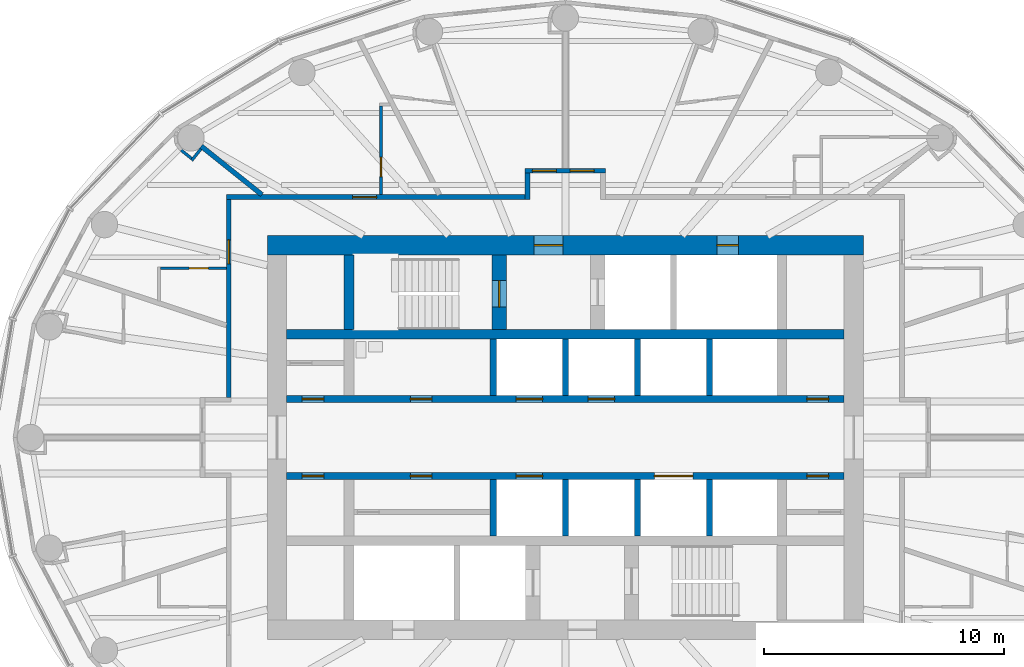
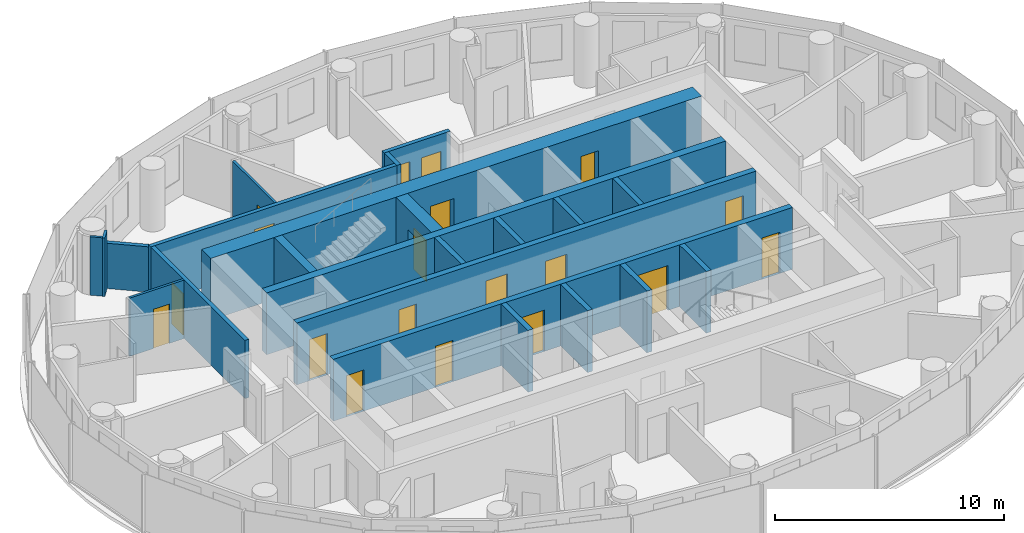
# One storey, part 9 of 16: 23 walls, 19 doors, 19 openings.
"""IFC4 building model written with IfcOpenShell, lengths in metres."""

from ifc_helpers import new_model, si_unit, direction, frame, frame_2d, origin, place, context, subcontext, project, spatial, rectangle, extrude, material, layer, layer_set, type_object, element, fill, save


model = new_model("IFC4")

# Units and contexts
model_context = context("Model", 3, precision=1e-05, world=origin(), true_north=direction((0.0, 1.0)))
body_context = subcontext(model_context, "Body", "Model", "MODEL_VIEW")
ifc_project = project(units=[si_unit("LENGTHUNIT", "METRE"), si_unit("AREAUNIT", "SQUARE_METRE"), si_unit("VOLUMEUNIT", "CUBIC_METRE"), si_unit("PLANEANGLEUNIT", "RADIAN"), si_unit("MASSUNIT", "GRAM", prefix="KILO")], contexts=[model_context])

# Site, building, storey
site_placement = place(None, origin())
site = spatial("IfcSite", under=ifc_project, at=site_placement, CompositionType="ELEMENT")
building_placement = place(site_placement, origin())
building = spatial("IfcBuilding", under=site, at=building_placement, Name="Hankou Lantern Tower", CompositionType="ELEMENT")
storey_placement = place(building_placement, frame((0.0, 0.0, 153.300048828125)))
storey = spatial("IfcBuildingStorey", under=building, at=storey_placement, Name="L40", CompositionType="ELEMENT", Elevation=153.300048828125)

# Wall, openings, doors
ifc_material_1 = material(Name="Concrete C60", Category="concrete")
ifc_layer_1 = layer(ifc_material_1, 0.800048828125)
ifc_layer_set_1 = layer_set([ifc_layer_1], Name="Concrete C60")
wall_type_1 = type_object("IfcWallType", Name="CW2 CORE WALL 800", PredefinedType="SHEAR", material=ifc_layer_set_1)
wall_1_placement = place(storey_placement, frame((-12.39990234375, 8.0, 0.0), z_axis=(0.0, 0.0, 1.0), x_axis=(1.0, 0.0, 0.0)))
wall_1 = element("IfcWall", 1, at=wall_1_placement, inside=storey, type_object=wall_type_1, Name="Core wall north L40", PredefinedType="SHEAR", context=body_context, shape_type="SweptSolid", body=[
    extrude(rectangle(XDim=24.7998046875, YDim=0.800048828125, at=frame_2d((12.39990234375, 0.0))), origin(), (0.0, 0.0, 1.0), 3.300048828125),
])
opening_1_placement = place(wall_1_placement, frame((11.10009765625, 0.0, 0.0)))
opening_1 = element("IfcOpeningElement", 2, at=opening_1_placement, cuts=wall_1, Name="Opening D5", PredefinedType="OPENING", context=body_context, shape_type="SweptSolid", body=[
    extrude(rectangle(XDim=1.199951171875, YDim=2.199951171875, at=frame_2d((0.60009765625, 1.10009765625))), frame((0.0, 0.409912109375, 0.0), z_axis=(0.0, -1.0, 0.0), x_axis=(1.0, 0.0, 0.0)), (0.0, 0.0, 1.0), 0.820068359375),
])
opening_2_placement = place(wall_1_placement, frame((18.699951171875, 0.0, 0.0)))
opening_2 = element("IfcOpeningElement", 3, at=opening_2_placement, cuts=wall_1, Name="Opening D7", PredefinedType="OPENING", context=body_context, shape_type="SweptSolid", body=[
    extrude(rectangle(XDim=0.89990234375, YDim=2.199951171875, at=frame_2d((0.449951171875, 1.10009765625))), frame((0.0, 0.409912109375, 0.0), z_axis=(0.0, -1.0, 0.0), x_axis=(1.0, 0.0, 0.0)), (0.0, 0.0, 1.0), 0.820068359375),
])
ifc_material_2 = material(Name="Steel door leaf", Category="steel")
door_type_1 = type_object("IfcDoorType", Name="D5 STAIR LOBBY DOOR 1200X2200", OperationType="SINGLE_SWING_LEFT", PredefinedType="DOOR", material=ifc_material_2)
door_1_placement = place(opening_1_placement, origin())
door_1 = element("IfcDoor", 4, at=door_1_placement, inside=storey, type_object=door_type_1, Name="Stair A lobby door", OperationType="SINGLE_SWING_LEFT", OverallHeight=2.199951171875, OverallWidth=1.199951171875, PredefinedType="DOOR", context=body_context, shape_type="SweptSolid", body=[
    extrude(rectangle(XDim=1.199951171875, YDim=2.199951171875, at=frame_2d((0.60009765625, 1.10009765625))), frame((0.0, 0.02490234375, 0.0), z_axis=(0.0, -1.0, 0.0), x_axis=(1.0, 0.0, 0.0)), (0.0, 0.0, 1.0), 0.050048828125),
])
fill(opening_1, door_1)
ifc_material_3 = material(Name="Steel door leaf", Category="steel")
door_type_2 = type_object("IfcDoorType", Name="D7 RISER DOOR 900X2200", OperationType="SINGLE_SWING_LEFT", PredefinedType="DOOR", material=ifc_material_3)
door_2_placement = place(opening_2_placement, origin())
door_2 = element("IfcDoor", 5, at=door_2_placement, inside=storey, type_object=door_type_2, Name="Riser N1 door", OperationType="SINGLE_SWING_RIGHT", OverallHeight=2.199951171875, OverallWidth=0.89990234375, PredefinedType="DOOR", context=body_context, shape_type="SweptSolid", body=[
    extrude(rectangle(XDim=0.89990234375, YDim=2.199951171875, at=frame_2d((0.449951171875, 1.10009765625))), frame((0.0, 0.02490234375, 0.0), z_axis=(0.0, -1.0, 0.0), x_axis=(1.0, 0.0, 0.0)), (0.0, 0.0, 1.0), 0.050048828125),
])
fill(opening_2, door_2)

# Walls
ifc_material_4 = material(Name="Concrete C60", Category="concrete")
ifc_layer_2 = layer(ifc_material_4, 0.39990234375)
ifc_layer_set_2 = layer_set([ifc_layer_2], Name="Concrete C60")
wall_type_2 = type_object("IfcWallType", Name="CW4 CORE CROSS WALL 400", PredefinedType="SHEAR", material=ifc_layer_set_2)
wall_2_placement = place(storey_placement, frame((-11.60009765625, 4.300048828125, 0.0), z_axis=(0.0, 0.0, 1.0), x_axis=(1.0, 0.0, 0.0)))
element("IfcWall", 6, at=wall_2_placement, inside=storey, type_object=wall_type_2, Name="Core band wall north L40", PredefinedType="SHEAR", context=body_context, shape_type="SweptSolid", body=[
    extrude(rectangle(XDim=23.2001953125, YDim=0.39990234375, at=frame_2d((11.60009765625, 0.0))), origin(), (0.0, 0.0, 1.0), 3.300048828125),
])
wall_3_placement = place(storey_placement, frame((-9.0, 4.5, 0.0), z_axis=(0.0, 0.0, 1.0), x_axis=(0.0, 1.0, 0.0)))
element("IfcWall", 7, at=wall_3_placement, inside=storey, type_object=wall_type_2, Name="Core strip wall L40", PredefinedType="SHEAR", context=body_context, shape_type="SweptSolid", body=[
    extrude(rectangle(XDim=3.10009765625, YDim=0.39990234375, at=frame_2d((1.550048828125, 0.0))), origin(), (0.0, 0.0, 1.0), 3.300048828125),
])

# Wall, openings, doors
ifc_material_5 = material(Name="Concrete C60", Category="concrete")
ifc_layer_3 = layer(ifc_material_5, 0.300048828125)
ifc_layer_set_3 = layer_set([ifc_layer_3], Name="Concrete C60")
wall_type_3 = type_object("IfcWallType", Name="CW5 LIFT LOBBY WALL 300", PredefinedType="SHEAR", material=ifc_layer_set_3)
wall_4_placement = place(storey_placement, frame((-11.60009765625, 1.60009765625, 0.0), z_axis=(0.0, 0.0, 1.0), x_axis=(1.0, 0.0, 0.0)))
wall_4 = element("IfcWall", 8, at=wall_4_placement, inside=storey, type_object=wall_type_3, Name="Lift lobby wall north L40", PredefinedType="SHEAR", context=body_context, shape_type="SweptSolid", body=[
    extrude(rectangle(XDim=23.2001953125, YDim=0.300048828125, at=frame_2d((11.60009765625, 0.0))), origin(), (0.0, 0.0, 1.0), 3.300048828125),
])
opening_3_placement = place(wall_4_placement, frame((9.550048828125, 0.0, 0.0)))
opening_3 = element("IfcOpeningElement", 9, at=opening_3_placement, cuts=wall_4, Name="Opening LD1", PredefinedType="OPENING", context=body_context, shape_type="SweptSolid", body=[
    extrude(rectangle(XDim=1.10009765625, YDim=2.199951171875, at=frame_2d((0.550048828125, 1.10009765625))), frame((0.0, 0.159912109375, 0.0), z_axis=(0.0, -1.0, 0.0), x_axis=(1.0, 0.0, 0.0)), (0.0, 0.0, 1.0), 0.320068359375),
])
opening_4_placement = place(wall_4_placement, frame((12.550048828125, 0.0, 0.0)))
opening_4 = element("IfcOpeningElement", 10, at=opening_4_placement, cuts=wall_4, Name="Opening LD1", PredefinedType="OPENING", context=body_context, shape_type="SweptSolid", body=[
    extrude(rectangle(XDim=1.10009765625, YDim=2.199951171875, at=frame_2d((0.550048828125, 1.10009765625))), frame((0.0, 0.159912109375, 0.0), z_axis=(0.0, -1.0, 0.0), x_axis=(1.0, 0.0, 0.0)), (0.0, 0.0, 1.0), 0.320068359375),
])
opening_5_placement = place(wall_4_placement, frame((5.14990234375, 0.0, 0.0)))
opening_5 = element("IfcOpeningElement", 11, at=opening_5_placement, cuts=wall_4, Name="Opening D30", PredefinedType="OPENING", context=body_context, shape_type="SweptSolid", body=[
    extrude(rectangle(XDim=0.89990234375, YDim=2.199951171875, at=frame_2d((0.449951171875, 1.10009765625))), frame((0.0, 0.159912109375, 0.0), z_axis=(0.0, -1.0, 0.0), x_axis=(1.0, 0.0, 0.0)), (0.0, 0.0, 1.0), 0.320068359375),
])
opening_6_placement = place(wall_4_placement, frame((21.64990234375, 0.0, 0.0)))
opening_6 = element("IfcOpeningElement", 12, at=opening_6_placement, cuts=wall_4, Name="Opening D30", PredefinedType="OPENING", context=body_context, shape_type="SweptSolid", body=[
    extrude(rectangle(XDim=0.89990234375, YDim=2.199951171875, at=frame_2d((0.449951171875, 1.10009765625))), frame((0.0, 0.159912109375, 0.0), z_axis=(0.0, -1.0, 0.0), x_axis=(1.0, 0.0, 0.0)), (0.0, 0.0, 1.0), 0.320068359375),
])
opening_7_placement = place(wall_4_placement, frame((0.64990234375, 0.0, 0.0)))
opening_7 = element("IfcOpeningElement", 13, at=opening_7_placement, cuts=wall_4, Name="Opening D30", PredefinedType="OPENING", context=body_context, shape_type="SweptSolid", body=[
    extrude(rectangle(XDim=0.89990234375, YDim=2.199951171875, at=frame_2d((0.449951171875, 1.10009765625))), frame((0.0, 0.159912109375, 0.0), z_axis=(0.0, -1.0, 0.0), x_axis=(1.0, 0.0, 0.0)), (0.0, 0.0, 1.0), 0.320068359375),
])
ifc_material_6 = material(Name="Steel door leaf", Category="steel")
door_type_3 = type_object("IfcDoorType", Name="D30 CORE ROOM DOOR 900X2200", OperationType="SINGLE_SWING_LEFT", PredefinedType="DOOR", material=ifc_material_6)
door_3_placement = place(opening_5_placement, origin())
door_3 = element("IfcDoor", 14, at=door_3_placement, inside=storey, type_object=door_type_3, Name="Accessible staff WC door", OperationType="SINGLE_SWING_LEFT", OverallHeight=2.199951171875, OverallWidth=0.89990234375, PredefinedType="DOOR", context=body_context, shape_type="SweptSolid", body=[
    extrude(rectangle(XDim=0.89990234375, YDim=2.199951171875, at=frame_2d((0.449951171875, 1.10009765625))), frame((0.0, 0.02490234375, 0.0), z_axis=(0.0, -1.0, 0.0), x_axis=(1.0, 0.0, 0.0)), (0.0, 0.0, 1.0), 0.050048828125),
])
fill(opening_5, door_3)
door_4_placement = place(opening_6_placement, origin())
door_4 = element("IfcDoor", 15, at=door_4_placement, inside=storey, type_object=door_type_3, Name="Staff locker room door", OperationType="SINGLE_SWING_RIGHT", OverallHeight=2.199951171875, OverallWidth=0.89990234375, PredefinedType="DOOR", context=body_context, shape_type="SweptSolid", body=[
    extrude(rectangle(XDim=0.89990234375, YDim=2.199951171875, at=frame_2d((0.449951171875, 1.10009765625))), frame((0.0, 0.02490234375, 0.0), z_axis=(0.0, -1.0, 0.0), x_axis=(1.0, 0.0, 0.0)), (0.0, 0.0, 1.0), 0.050048828125),
])
fill(opening_6, door_4)
door_5_placement = place(opening_7_placement, origin())
door_5 = element("IfcDoor", 16, at=door_5_placement, inside=storey, type_object=door_type_3, Name="Guest pantry and ice room door", OperationType="SINGLE_SWING_LEFT", OverallHeight=2.199951171875, OverallWidth=0.89990234375, PredefinedType="DOOR", context=body_context, shape_type="SweptSolid", body=[
    extrude(rectangle(XDim=0.89990234375, YDim=2.199951171875, at=frame_2d((0.449951171875, 1.10009765625))), frame((0.0, 0.02490234375, 0.0), z_axis=(0.0, -1.0, 0.0), x_axis=(1.0, 0.0, 0.0)), (0.0, 0.0, 1.0), 0.050048828125),
])
fill(opening_7, door_5)
ifc_material_7 = material(Name="Steel door leaf", Category="steel")
door_type_4 = type_object("IfcDoorType", Name="LD1 LIFT LANDING DOOR 1100X2200", OperationType="DOUBLE_DOOR_SLIDING", PredefinedType="DOOR", material=ifc_material_7)
door_6_placement = place(opening_3_placement, origin())
door_6 = element("IfcDoor", 17, at=door_6_placement, inside=storey, type_object=door_type_4, Name="Lift H1 landing door", OperationType="DOUBLE_DOOR_SLIDING", OverallHeight=2.199951171875, OverallWidth=1.10009765625, PredefinedType="DOOR", context=body_context, shape_type="SweptSolid", body=[
    extrude(rectangle(XDim=1.10009765625, YDim=2.199951171875, at=frame_2d((0.550048828125, 1.10009765625))), frame((0.0, 0.02490234375, 0.0), z_axis=(0.0, -1.0, 0.0), x_axis=(1.0, 0.0, 0.0)), (0.0, 0.0, 1.0), 0.050048828125),
])
fill(opening_3, door_6)
door_7_placement = place(opening_4_placement, origin())
door_7 = element("IfcDoor", 18, at=door_7_placement, inside=storey, type_object=door_type_4, Name="Lift H2 landing door", OperationType="DOUBLE_DOOR_SLIDING", OverallHeight=2.199951171875, OverallWidth=1.10009765625, PredefinedType="DOOR", context=body_context, shape_type="SweptSolid", body=[
    extrude(rectangle(XDim=1.10009765625, YDim=2.199951171875, at=frame_2d((0.550048828125, 1.10009765625))), frame((0.0, 0.02490234375, 0.0), z_axis=(0.0, -1.0, 0.0), x_axis=(1.0, 0.0, 0.0)), (0.0, 0.0, 1.0), 0.050048828125),
])
fill(opening_4, door_7)

wall_5_placement = place(storey_placement, frame((-11.60009765625, -1.60009765625, 0.0), z_axis=(0.0, 0.0, 1.0), x_axis=(1.0, 0.0, 0.0)))
wall_5 = element("IfcWall", 19, at=wall_5_placement, inside=storey, type_object=wall_type_3, Name="Lift lobby wall south L40", PredefinedType="SHEAR", context=body_context, shape_type="SweptSolid", body=[
    extrude(rectangle(XDim=23.2001953125, YDim=0.300048828125, at=frame_2d((11.60009765625, 0.0))), origin(), (0.0, 0.0, 1.0), 3.300048828125),
])
opening_8_placement = place(wall_5_placement, frame((9.550048828125, 0.0, 0.0)))
opening_8 = element("IfcOpeningElement", 20, at=opening_8_placement, cuts=wall_5, Name="Opening LD1", PredefinedType="OPENING", context=body_context, shape_type="SweptSolid", body=[
    extrude(rectangle(XDim=1.10009765625, YDim=2.199951171875, at=frame_2d((0.550048828125, 1.10009765625))), frame((0.0, 0.159912109375, 0.0), z_axis=(0.0, -1.0, 0.0), x_axis=(1.0, 0.0, 0.0)), (0.0, 0.0, 1.0), 0.320068359375),
])
opening_9_placement = place(wall_5_placement, frame((15.300048828125, 0.0, 0.0)))
opening_9 = element("IfcOpeningElement", 21, at=opening_9_placement, cuts=wall_5, Name="Opening LD4", PredefinedType="OPENING", context=body_context, shape_type="SweptSolid", body=[
    extrude(rectangle(XDim=1.60009765625, YDim=2.39990234375, at=frame_2d((0.800048828125, 1.199951171875))), frame((0.0, 0.159912109375, 0.0), z_axis=(0.0, -1.0, 0.0), x_axis=(1.0, 0.0, 0.0)), (0.0, 0.0, 1.0), 0.320068359375),
])
opening_10_placement = place(wall_5_placement, frame((0.64990234375, 0.0, 0.0)))
opening_10 = element("IfcOpeningElement", 22, at=opening_10_placement, cuts=wall_5, Name="Opening D30", PredefinedType="OPENING", context=body_context, shape_type="SweptSolid", body=[
    extrude(rectangle(XDim=0.89990234375, YDim=2.199951171875, at=frame_2d((0.449951171875, 1.10009765625))), frame((0.0, 0.159912109375, 0.0), z_axis=(0.0, -1.0, 0.0), x_axis=(1.0, 0.0, 0.0)), (0.0, 0.0, 1.0), 0.320068359375),
])
opening_11_placement = place(wall_5_placement, frame((5.14990234375, 0.0, 0.0)))
opening_11 = element("IfcOpeningElement", 23, at=opening_11_placement, cuts=wall_5, Name="Opening D30", PredefinedType="OPENING", context=body_context, shape_type="SweptSolid", body=[
    extrude(rectangle(XDim=0.89990234375, YDim=2.199951171875, at=frame_2d((0.449951171875, 1.10009765625))), frame((0.0, 0.159912109375, 0.0), z_axis=(0.0, -1.0, 0.0), x_axis=(1.0, 0.0, 0.0)), (0.0, 0.0, 1.0), 0.320068359375),
])
opening_12_placement = place(wall_5_placement, frame((21.64990234375, 0.0, 0.0)))
opening_12 = element("IfcOpeningElement", 24, at=opening_12_placement, cuts=wall_5, Name="Opening D30", PredefinedType="OPENING", context=body_context, shape_type="SweptSolid", body=[
    extrude(rectangle(XDim=0.89990234375, YDim=2.199951171875, at=frame_2d((0.449951171875, 1.10009765625))), frame((0.0, 0.159912109375, 0.0), z_axis=(0.0, -1.0, 0.0), x_axis=(1.0, 0.0, 0.0)), (0.0, 0.0, 1.0), 0.320068359375),
])
door_8_placement = place(opening_10_placement, origin())
door_8 = element("IfcDoor", 25, at=door_8_placement, inside=storey, type_object=door_type_3, Name="Housekeeping and linen store door", OperationType="SINGLE_SWING_LEFT", OverallHeight=2.199951171875, OverallWidth=0.89990234375, PredefinedType="DOOR", context=body_context, shape_type="SweptSolid", body=[
    extrude(rectangle(XDim=0.89990234375, YDim=2.199951171875, at=frame_2d((0.449951171875, 1.10009765625))), frame((0.0, 0.02490234375, 0.0), z_axis=(0.0, -1.0, 0.0), x_axis=(1.0, 0.0, 0.0)), (0.0, 0.0, 1.0), 0.050048828125),
])
fill(opening_10, door_8)
door_9_placement = place(opening_11_placement, origin())
door_9 = element("IfcDoor", 26, at=door_9_placement, inside=storey, type_object=door_type_3, Name="Engineering store door", OperationType="SINGLE_SWING_LEFT", OverallHeight=2.199951171875, OverallWidth=0.89990234375, PredefinedType="DOOR", context=body_context, shape_type="SweptSolid", body=[
    extrude(rectangle(XDim=0.89990234375, YDim=2.199951171875, at=frame_2d((0.449951171875, 1.10009765625))), frame((0.0, 0.02490234375, 0.0), z_axis=(0.0, -1.0, 0.0), x_axis=(1.0, 0.0, 0.0)), (0.0, 0.0, 1.0), 0.050048828125),
])
fill(opening_11, door_9)
door_10_placement = place(opening_12_placement, origin())
door_10 = element("IfcDoor", 27, at=door_10_placement, inside=storey, type_object=door_type_3, Name="Cleaner's store door", OperationType="SINGLE_SWING_RIGHT", OverallHeight=2.199951171875, OverallWidth=0.89990234375, PredefinedType="DOOR", context=body_context, shape_type="SweptSolid", body=[
    extrude(rectangle(XDim=0.89990234375, YDim=2.199951171875, at=frame_2d((0.449951171875, 1.10009765625))), frame((0.0, 0.02490234375, 0.0), z_axis=(0.0, -1.0, 0.0), x_axis=(1.0, 0.0, 0.0)), (0.0, 0.0, 1.0), 0.050048828125),
])
fill(opening_12, door_10)
door_11_placement = place(opening_8_placement, origin())
door_11 = element("IfcDoor", 28, at=door_11_placement, inside=storey, type_object=door_type_4, Name="Lift H3 landing door", OperationType="DOUBLE_DOOR_SLIDING", OverallHeight=2.199951171875, OverallWidth=1.10009765625, PredefinedType="DOOR", context=body_context, shape_type="SweptSolid", body=[
    extrude(rectangle(XDim=1.10009765625, YDim=2.199951171875, at=frame_2d((0.550048828125, 1.10009765625))), frame((0.0, 0.02490234375, 0.0), z_axis=(0.0, -1.0, 0.0), x_axis=(1.0, 0.0, 0.0)), (0.0, 0.0, 1.0), 0.050048828125),
])
fill(opening_8, door_11)
ifc_material_8 = material(Name="Steel door leaf", Category="steel")
door_type_5 = type_object("IfcDoorType", Name="LD4 SERVICE LIFT LANDING DOOR 1600X2400", OperationType="DOUBLE_DOOR_SLIDING", PredefinedType="DOOR", material=ifc_material_8)
door_12_placement = place(opening_9_placement, origin())
door_12 = element("IfcDoor", 29, at=door_12_placement, inside=storey, type_object=door_type_5, Name="Lift SV1 landing door", OperationType="DOUBLE_DOOR_SLIDING", OverallHeight=2.39990234375, OverallWidth=1.60009765625, PredefinedType="DOOR", context=body_context, shape_type="SweptSolid", body=[
    extrude(rectangle(XDim=1.60009765625, YDim=2.39990234375, at=frame_2d((0.800048828125, 1.199951171875))), frame((0.0, 0.02490234375, 0.0), z_axis=(0.0, -1.0, 0.0), x_axis=(1.0, 0.0, 0.0)), (0.0, 0.0, 1.0), 0.050048828125),
])
fill(opening_9, door_12)

# Wall, opening, door
ifc_material_9 = material(Name="Concrete C60", Category="concrete")
ifc_layer_4 = layer(ifc_material_9, 0.60009765625)
ifc_layer_set_4 = layer_set([ifc_layer_4], Name="Concrete C60")
wall_type_4 = type_object("IfcWallType", Name="CW6 STAIR AND SHAFT WALL 600", PredefinedType="SHEAR", material=ifc_layer_set_4)
wall_6_placement = place(storey_placement, frame((-2.75, 4.5, 0.0), z_axis=(0.0, 0.0, 1.0), x_axis=(0.0, 1.0, 0.0)))
wall_6 = element("IfcWall", 30, at=wall_6_placement, inside=storey, type_object=wall_type_4, Name="Stair wall L40", PredefinedType="SHEAR", context=body_context, shape_type="SweptSolid", body=[
    extrude(rectangle(XDim=3.10009765625, YDim=0.60009765625, at=frame_2d((1.550048828125, 0.0))), origin(), (0.0, 0.0, 1.0), 3.300048828125),
])
opening_13_placement = place(wall_6_placement, frame((0.925048828125, 0.0, 0.0)))
opening_13 = element("IfcOpeningElement", 31, at=opening_13_placement, cuts=wall_6, Name="Opening D4", PredefinedType="OPENING", context=body_context, shape_type="SweptSolid", body=[
    extrude(rectangle(XDim=1.10009765625, YDim=2.199951171875, at=frame_2d((0.550048828125, 1.10009765625))), frame((0.0, 0.31005859375, 0.0), z_axis=(0.0, -1.0, 0.0), x_axis=(1.0, 0.0, 0.0)), (0.0, 0.0, 1.0), 0.6201171875),
])
ifc_material_10 = material(Name="Steel door leaf", Category="steel")
door_type_6 = type_object("IfcDoorType", Name="D4 STAIR DOOR 1100X2200", OperationType="SINGLE_SWING_LEFT", PredefinedType="DOOR", material=ifc_material_10)
door_13_placement = place(opening_13_placement, origin())
door_13 = element("IfcDoor", 32, at=door_13_placement, inside=storey, type_object=door_type_6, Name="Stair A door", OperationType="SINGLE_SWING_LEFT", OverallHeight=2.199951171875, OverallWidth=1.10009765625, PredefinedType="DOOR", context=body_context, shape_type="SweptSolid", body=[
    extrude(rectangle(XDim=1.10009765625, YDim=2.199951171875, at=frame_2d((0.550048828125, 1.10009765625))), frame((0.0, 0.02490234375, 0.0), z_axis=(0.0, -1.0, 0.0), x_axis=(1.0, 0.0, 0.0)), (0.0, 0.0, 1.0), 0.050048828125),
])
fill(opening_13, door_13)

# Wall
ifc_material_11 = material(Name="Masonry lightweight concrete block", Category="masonry")
ifc_layer_5 = layer(ifc_material_11, 0.199951171875)
ifc_layer_set_5 = layer_set([ifc_layer_5], Name="Masonry lightweight concrete block")
wall_type_5 = type_object("IfcWallType", Name="IW1 GUEST ROOM PARTY WALL 200", PredefinedType="PARTITIONING", material=ifc_layer_set_5)
wall_7_placement = place(storey_placement, frame((-12.625, 10.10009765625, 0.0), z_axis=(0.0, 0.0, 1.0), x_axis=(-0.780876185034, 0.624685827954, 0.0)))
element("IfcWall", 33, at=wall_7_placement, inside=storey, type_object=wall_type_5, Name="Party wall R10", PredefinedType="PARTITIONING", context=body_context, shape_type="SweptSolid", body=[
    extrude(rectangle(XDim=3.229248046875, YDim=0.199951171875, at=frame_2d((1.61474609375, 0.0))), origin(), (0.0, 0.0, 1.0), 2.419921875),
])

# Wall, openings, doors
ifc_material_12 = material(Name="Masonry lightweight concrete block", Category="masonry")
ifc_layer_6 = layer(ifc_material_12, 0.199951171875)
ifc_layer_set_6 = layer_set([ifc_layer_6], Name="Masonry lightweight concrete block")
wall_type_6 = type_object("IfcWallType", Name="IW2 CORRIDOR WALL 200", PredefinedType="PARTITIONING", material=ifc_layer_set_6)
wall_8_placement = place(storey_placement, frame((-1.669921875, 11.10009765625, 0.0), z_axis=(0.0, 0.0, 1.0), x_axis=(1.0, 0.0, 0.0)))
wall_8 = element("IfcWall", 34, at=wall_8_placement, inside=storey, type_object=wall_type_6, Name="Corridor alcove wall 4003-4004 back", PredefinedType="PARTITIONING", context=body_context, shape_type="SweptSolid", body=[
    extrude(rectangle(XDim=3.33984375, YDim=0.199951171875, at=frame_2d((1.669921875, 0.0))), origin(), (0.0, 0.0, 1.0), 3.119873046875),
])
opening_14_placement = place(wall_8_placement, frame((1.8701171875, 0.0, 0.0)))
opening_14 = element("IfcOpeningElement", 35, at=opening_14_placement, cuts=wall_8, Name="Opening D1", PredefinedType="OPENING", context=body_context, shape_type="SweptSolid", body=[
    extrude(rectangle(XDim=1.0, YDim=2.199951171875, at=frame_2d((0.5, 1.10009765625))), frame((0.0, 0.10986328125, 0.0), z_axis=(0.0, -1.0, 0.0), x_axis=(1.0, 0.0, 0.0)), (0.0, 0.0, 1.0), 0.219970703125),
])
opening_15_placement = place(wall_8_placement, frame((0.300048828125, 0.0, 0.0)))
opening_15 = element("IfcOpeningElement", 36, at=opening_15_placement, cuts=wall_8, Name="Opening D1", PredefinedType="OPENING", context=body_context, shape_type="SweptSolid", body=[
    extrude(rectangle(XDim=1.0, YDim=2.199951171875, at=frame_2d((0.5, 1.10009765625))), frame((0.0, 0.10986328125, 0.0), z_axis=(0.0, -1.0, 0.0), x_axis=(1.0, 0.0, 0.0)), (0.0, 0.0, 1.0), 0.219970703125),
])
ifc_material_13 = material(Name="Steel door leaf", Category="steel")
door_type_7 = type_object("IfcDoorType", Name="D1 GUEST ROOM DOOR 1000X2200", OperationType="SINGLE_SWING_LEFT", PredefinedType="DOOR", material=ifc_material_13)
door_14_placement = place(opening_14_placement, origin())
door_14 = element("IfcDoor", 37, at=door_14_placement, inside=storey, type_object=door_type_7, Name="Guest room door 4003", OperationType="SINGLE_SWING_LEFT", OverallHeight=2.199951171875, OverallWidth=1.0, PredefinedType="DOOR", context=body_context, shape_type="SweptSolid", body=[
    extrude(rectangle(XDim=1.0, YDim=2.199951171875, at=frame_2d((0.5, 1.10009765625))), frame((0.0, 0.02490234375, 0.0), z_axis=(0.0, -1.0, 0.0), x_axis=(1.0, 0.0, 0.0)), (0.0, 0.0, 1.0), 0.050048828125),
])
fill(opening_14, door_14)
door_15_placement = place(opening_15_placement, origin())
door_15 = element("IfcDoor", 38, at=door_15_placement, inside=storey, type_object=door_type_7, Name="Guest room door 4004", OperationType="SINGLE_SWING_RIGHT", OverallHeight=2.199951171875, OverallWidth=1.0, PredefinedType="DOOR", context=body_context, shape_type="SweptSolid", body=[
    extrude(rectangle(XDim=1.0, YDim=2.199951171875, at=frame_2d((0.5, 1.10009765625))), frame((0.0, 0.02490234375, 0.0), z_axis=(0.0, -1.0, 0.0), x_axis=(1.0, 0.0, 0.0)), (0.0, 0.0, 1.0), 0.050048828125),
])
fill(opening_15, door_15)

# Wall
wall_9_placement = place(storey_placement, frame((-1.570068359375, 9.89990234375, 0.0), z_axis=(0.0, 0.0, 1.0), x_axis=(0.0, 1.0, 0.0)))
element("IfcWall", 39, at=wall_9_placement, inside=storey, type_object=wall_type_6, Name="Corridor alcove wall 4003-4004 left", PredefinedType="PARTITIONING", context=body_context, shape_type="SweptSolid", body=[
    extrude(rectangle(XDim=1.10009765625, YDim=0.199951171875, at=frame_2d((0.550048828125, 0.0))), origin(), (0.0, 0.0, 1.0), 3.119873046875),
])

# Wall, opening, door
wall_10_placement = place(storey_placement, frame((-14.10009765625, 10.0, 0.0), z_axis=(0.0, 0.0, 1.0), x_axis=(1.0, 0.0, 0.0)))
wall_10 = element("IfcWall", 40, at=wall_10_placement, inside=storey, type_object=wall_type_6, Name="Corridor wall north", PredefinedType="PARTITIONING", context=body_context, shape_type="SweptSolid", body=[
    extrude(rectangle(XDim=12.43017578125, YDim=0.199951171875, at=frame_2d((6.215087890625, 0.0))), origin(), (0.0, 0.0, 1.0), 3.119873046875),
])
opening_16_placement = place(wall_10_placement, frame((5.25, 0.0, 0.0)))
opening_16 = element("IfcOpeningElement", 41, at=opening_16_placement, cuts=wall_10, Name="Opening D1", PredefinedType="OPENING", context=body_context, shape_type="SweptSolid", body=[
    extrude(rectangle(XDim=1.0, YDim=2.199951171875, at=frame_2d((0.5, 1.10009765625))), frame((0.0, 0.10986328125, 0.0), z_axis=(0.0, -1.0, 0.0), x_axis=(1.0, 0.0, 0.0)), (0.0, 0.0, 1.0), 0.219970703125),
])
door_16_placement = place(opening_16_placement, origin())
door_16 = element("IfcDoor", 42, at=door_16_placement, inside=storey, type_object=door_type_7, Name="Guest room door 4005", OperationType="SINGLE_SWING_RIGHT", OverallHeight=2.199951171875, OverallWidth=1.0, PredefinedType="DOOR", context=body_context, shape_type="SweptSolid", body=[
    extrude(rectangle(XDim=1.0, YDim=2.199951171875, at=frame_2d((0.5, 1.10009765625))), frame((0.0, 0.02490234375, 0.0), z_axis=(0.0, -1.0, 0.0), x_axis=(1.0, 0.0, 0.0)), (0.0, 0.0, 1.0), 0.050048828125),
])
fill(opening_16, door_16)

wall_11_placement = place(storey_placement, frame((-14.0, 9.89990234375, 0.0), z_axis=(0.0, 0.0, 1.0), x_axis=(0.0, -1.0, 0.0)))
wall_11 = element("IfcWall", 43, at=wall_11_placement, inside=storey, type_object=wall_type_6, Name="Corridor wall west", PredefinedType="PARTITIONING", context=body_context, shape_type="SweptSolid", body=[
    extrude(rectangle(XDim=8.22998046875, YDim=0.199951171875, at=frame_2d((4.114990234375, 0.0))), origin(), (0.0, 0.0, 1.0), 3.119873046875),
])
opening_17_placement = place(wall_11_placement, frame((1.678466796875, 0.0, 0.0)))
opening_17 = element("IfcOpeningElement", 44, at=opening_17_placement, cuts=wall_11, Name="Opening D1", PredefinedType="OPENING", context=body_context, shape_type="SweptSolid", body=[
    extrude(rectangle(XDim=1.0, YDim=2.199951171875, at=frame_2d((0.5, 1.10009765625))), frame((0.0, 0.10986328125, 0.0), z_axis=(0.0, -1.0, 0.0), x_axis=(1.0, 0.0, 0.0)), (0.0, 0.0, 1.0), 0.219970703125),
])
door_17_placement = place(opening_17_placement, origin())
door_17 = element("IfcDoor", 45, at=door_17_placement, inside=storey, type_object=door_type_7, Name="Guest room door 4006", OperationType="SINGLE_SWING_LEFT", OverallHeight=2.199951171875, OverallWidth=1.0, PredefinedType="DOOR", context=body_context, shape_type="SweptSolid", body=[
    extrude(rectangle(XDim=1.0, YDim=2.199951171875, at=frame_2d((0.5, 1.10009765625))), frame((0.0, 0.02490234375, 0.0), z_axis=(0.0, -1.0, 0.0), x_axis=(1.0, 0.0, 0.0)), (0.0, 0.0, 1.0), 0.050048828125),
])
fill(opening_17, door_17)

ifc_material_14 = material(Name="Masonry lightweight concrete block", Category="masonry")
ifc_layer_7 = layer(ifc_material_14, 0.1201171875)
ifc_layer_set_7 = layer_set([ifc_layer_7], Name="Masonry lightweight concrete block")
wall_type_7 = type_object("IfcWallType", Name="IW3 BATHROOM WALL 120", PredefinedType="PARTITIONING", material=ifc_layer_set_7)
wall_12_placement = place(storey_placement, frame((-7.670166015625, 10.10009765625, 0.0), z_axis=(0.0, 0.0, 1.0), x_axis=(0.0, 1.0, 0.0)))
wall_12 = element("IfcWall", 46, at=wall_12_placement, inside=storey, type_object=wall_type_7, Name="Box wall 4005 1", PredefinedType="PARTITIONING", context=body_context, shape_type="SweptSolid", body=[
    extrude(rectangle(XDim=3.68994140625, YDim=0.1201171875, at=frame_2d((1.844970703125, 0.0))), origin(), (0.0, 0.0, 1.0), 3.119873046875),
])
opening_18_placement = place(wall_12_placement, frame((0.75, 0.0, 0.0)))
opening_18 = element("IfcOpeningElement", 47, at=opening_18_placement, cuts=wall_12, Name="Opening D3", PredefinedType="OPENING", context=body_context, shape_type="SweptSolid", body=[
    extrude(rectangle(XDim=0.800048828125, YDim=2.10009765625, at=frame_2d((0.39990234375, 1.050048828125))), frame((0.0, 0.070068359375, 0.0), z_axis=(0.0, -1.0, 0.0), x_axis=(1.0, 0.0, 0.0)), (0.0, 0.0, 1.0), 0.14013671875),
])
ifc_material_15 = material(Name="Timber door leaf", Category="wood")
door_type_8 = type_object("IfcDoorType", Name="D3 BATHROOM DOOR 800X2100", OperationType="SINGLE_SWING_LEFT", PredefinedType="DOOR", material=ifc_material_15)
door_18_placement = place(opening_18_placement, origin())
door_18 = element("IfcDoor", 48, at=door_18_placement, inside=storey, type_object=door_type_8, Name="En-suite bathroom 4005 door", OperationType="SINGLE_SWING_LEFT", OverallHeight=2.10009765625, OverallWidth=0.800048828125, PredefinedType="DOOR", context=body_context, shape_type="SweptSolid", body=[
    extrude(rectangle(XDim=0.800048828125, YDim=2.10009765625, at=frame_2d((0.39990234375, 1.050048828125))), frame((0.0, 0.02490234375, 0.0), z_axis=(0.0, -1.0, 0.0), x_axis=(1.0, 0.0, 0.0)), (0.0, 0.0, 1.0), 0.050048828125),
])
fill(opening_18, door_18)

wall_13_placement = place(storey_placement, frame((-14.10009765625, 7.04150390625, 0.0), z_axis=(0.0, 0.0, 1.0), x_axis=(-1.0, 0.0, 0.0)))
wall_13 = element("IfcWall", 49, at=wall_13_placement, inside=storey, type_object=wall_type_7, Name="Box wall 4006 1", PredefinedType="PARTITIONING", context=body_context, shape_type="SweptSolid", body=[
    extrude(rectangle(XDim=2.739990234375, YDim=0.1201171875, at=frame_2d((1.3701171875, 0.0))), origin(), (0.0, 0.0, 1.0), 3.119873046875),
])
opening_19_placement = place(wall_13_placement, frame((0.75, 0.0, 0.0)))
opening_19 = element("IfcOpeningElement", 50, at=opening_19_placement, cuts=wall_13, Name="Opening D3", PredefinedType="OPENING", context=body_context, shape_type="SweptSolid", body=[
    extrude(rectangle(XDim=0.800048828125, YDim=2.10009765625, at=frame_2d((0.39990234375, 1.050048828125))), frame((0.0, 0.070068359375, 0.0), z_axis=(0.0, -1.0, 0.0), x_axis=(1.0, 0.0, 0.0)), (0.0, 0.0, 1.0), 0.14013671875),
])
door_19_placement = place(opening_19_placement, origin())
door_19 = element("IfcDoor", 51, at=door_19_placement, inside=storey, type_object=door_type_8, Name="En-suite bathroom 4006 door", OperationType="SINGLE_SWING_LEFT", OverallHeight=2.10009765625, OverallWidth=0.800048828125, PredefinedType="DOOR", context=body_context, shape_type="SweptSolid", body=[
    extrude(rectangle(XDim=0.800048828125, YDim=2.10009765625, at=frame_2d((0.39990234375, 1.050048828125))), frame((0.0, 0.02490234375, 0.0), z_axis=(0.0, -1.0, 0.0), x_axis=(1.0, 0.0, 0.0)), (0.0, 0.0, 1.0), 0.050048828125),
])
fill(opening_19, door_19)

# Walls
ifc_material_16 = material(Name="Masonry lightweight concrete block", Category="masonry")
ifc_layer_8 = layer(ifc_material_16, 0.1201171875)
ifc_layer_set_8 = layer_set([ifc_layer_8], Name="Masonry lightweight concrete block")
wall_type_8 = type_object("IfcWallType", Name="IW4 PARTITION 120", PredefinedType="PARTITIONING", material=ifc_layer_set_8)
wall_14_placement = place(storey_placement, frame((-15.162353515625, 12.001708984375, 0.0), z_axis=(0.0, 0.0, 1.0), x_axis=(-0.624597762427, -0.780946627607, 0.0)))
element("IfcWall", 52, at=wall_14_placement, inside=storey, type_object=wall_type_8, Name="Column casing R10 return", PredefinedType="PARTITIONING", context=body_context, shape_type="SweptSolid", body=[
    extrude(rectangle(XDim=0.612060546875, YDim=0.1201171875, at=frame_2d((0.30615234375, 0.0))), origin(), (0.0, 0.0, 1.0), 3.119873046875),
])
wall_15_placement = place(storey_placement, frame((-15.55419921875, 11.60791015625, 0.0), z_axis=(0.0, 0.0, 1.0), x_axis=(-0.780695577787, 0.624911525597, 0.0)))
element("IfcWall", 53, at=wall_15_placement, inside=storey, type_object=wall_type_8, Name="Column casing R10", PredefinedType="PARTITIONING", context=body_context, shape_type="SweptSolid", body=[
    extrude(rectangle(XDim=0.550048828125, YDim=0.1201171875, at=frame_2d((0.27490234375, 0.0))), origin(), (0.0, 0.0, 1.0), 3.119873046875),
])
ifc_material_17 = material(Name="Masonry autoclaved aerated concrete block", Category="masonry")
ifc_layer_9 = layer(ifc_material_17, 0.25)
ifc_layer_set_9 = layer_set([ifc_layer_9], Name="Masonry autoclaved aerated concrete block")
wall_type_9 = type_object("IfcWallType", Name="SW1 SHAFT BLOCK WALL 250", PredefinedType="PARTITIONING", material=ifc_layer_set_9)
for number, where, z_axis, x_axis, name in (
    (54, (-3.0, 1.75, 0.0), (0.0, 0.0, 1.0), (0.0, 1.0, 0.0), "Lift shaft wall L40"),
    (55, (0.0, 1.75, 0.0), (0.0, 0.0, 1.0), (0.0, 1.0, 0.0), "Lift shaft wall L40"),
    (56, (3.0, 1.75, 0.0), (0.0, 0.0, 1.0), (0.0, 1.0, 0.0), "Lift shaft wall L40"),
    (57, (6.0, 1.75, 0.0), (0.0, 0.0, 1.0), (0.0, 1.0, 0.0), "Lift shaft wall L40"),
    (58, (-3.0, -4.10009765625, 0.0), (0.0, 0.0, 1.0), (0.0, 1.0, 0.0), "Lift shaft wall L40"),
    (59, (0.0, -4.10009765625, 0.0), (0.0, 0.0, 1.0), (0.0, 1.0, 0.0), "Lift shaft wall L40"),
    (60, (3.0, -4.10009765625, 0.0), (0.0, 0.0, 1.0), (0.0, 1.0, 0.0), "Lift shaft wall L40"),
    (61, (6.0, -4.10009765625, 0.0), (0.0, 0.0, 1.0), (0.0, 1.0, 0.0), "Lift shaft wall L40"),
):
    element("IfcWall", number, at=place(storey_placement, frame(where, z_axis=z_axis, x_axis=x_axis)), inside=storey, type_object=wall_type_9, Name=name, PredefinedType="PARTITIONING", context=body_context, shape_type="SweptSolid", body=[
        extrude(rectangle(XDim=2.35009765625, YDim=0.25, at=frame_2d((1.175048828125, 0.0))), origin(), (0.0, 0.0, 1.0), 3.300048828125),
    ])

save(model, "model.ifc")
